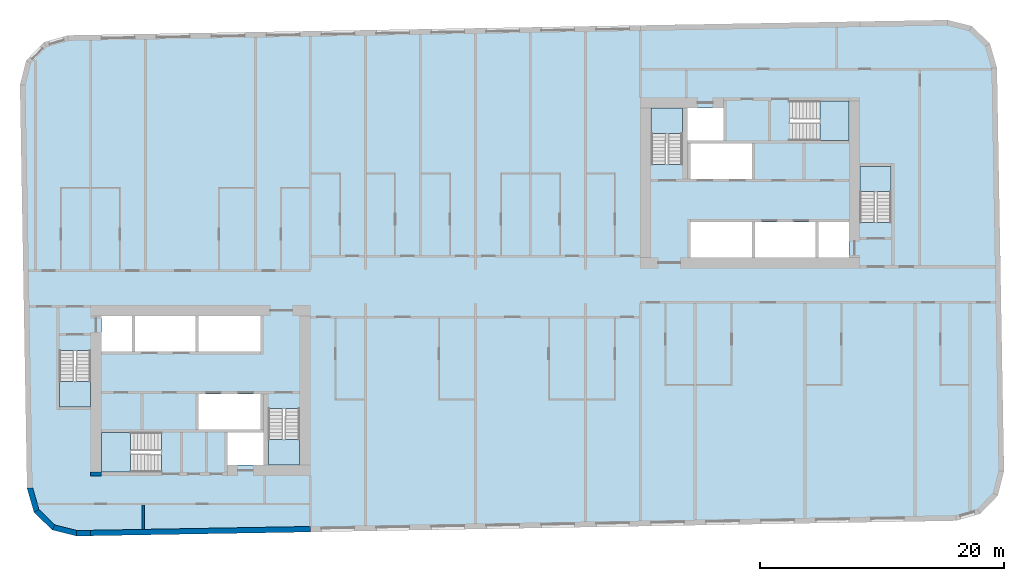
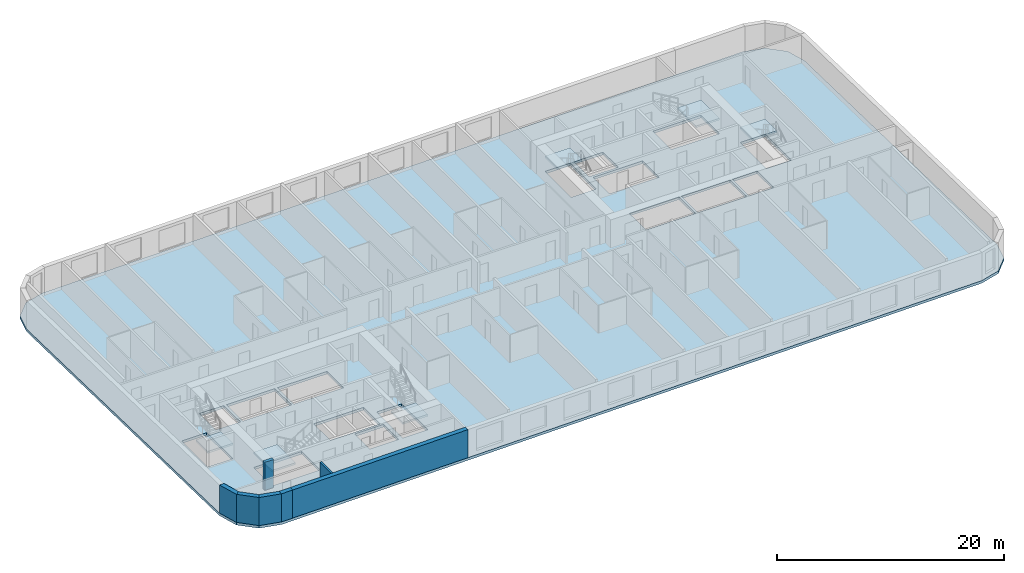
# One storey, part 1 of 11: 7 slabs, 7 walls, 6 elements without a shape of their own.
"""IFC4 building model written with IfcOpenShell, lengths in metres."""

from ifc_helpers import new_model, si_unit, direction, frame, frame_2d, origin, place, context, subcontext, project, spatial, polyline, rectangle, outline, extrude, material, layer, layer_set, type_object, element, aggregate, save


model = new_model("IFC4")

# Units and contexts
model_context = context("Model", 3, precision=1e-05, world=origin(), true_north=direction((0.0, 1.0)))
body_context = subcontext(model_context, "Body", "Model", "MODEL_VIEW")
ifc_project = project(units=[si_unit("LENGTHUNIT", "METRE"), si_unit("AREAUNIT", "SQUARE_METRE"), si_unit("VOLUMEUNIT", "CUBIC_METRE"), si_unit("PLANEANGLEUNIT", "RADIAN"), si_unit("MASSUNIT", "GRAM", prefix="KILO")], contexts=[model_context])

# Site, building, storey
site_placement = place(None, origin())
site = spatial("IfcSite", under=ifc_project, at=site_placement, CompositionType="ELEMENT")
building_placement = place(site_placement, origin())
building = spatial("IfcBuilding", under=site, at=building_placement, Name="Kajstack Hotel Tower", CompositionType="ELEMENT")
storey_placement = place(building_placement, frame((0.0, 0.0, 221.0)))
storey = spatial("IfcBuildingStorey", under=building, at=storey_placement, Name="L53", CompositionType="ELEMENT", Elevation=221.0)

# Slab
ifc_material_1 = material(Name="Concrete C40/50", Category="concrete")
ifc_layer_1 = layer(ifc_material_1, 0.280029296875)
ifc_layer_set_1 = layer_set([ifc_layer_1], Name="RC slab 280 C40/50 guest")
slab_type_1 = type_object("IfcSlabType", Name="RC slab 280 C40/50 guest", PredefinedType="FLOOR", material=ifc_layer_set_1)
slab_1_placement = place(storey_placement, frame((0.0, 0.0, -0.280029296875)))
element("IfcSlab", 1, at=slab_1_placement, inside=storey, type_object=slab_type_1, Name="S-slab-L53", PredefinedType="FLOOR", context=body_context, shape_type="SweptSolid", body=[
    extrude(outline(polyline([(-37.281982421875, 16.49951171875), (-36.705810546875, -16.49560546875), (-36.13525390625, -18.48583984375), (-34.645751953125, -19.92431640625), (-32.63671875, -20.42529296875), (39.352294921875, -19.168701171875), (41.342529296875, -18.597900390625), (42.781005859375, -17.1083984375), (43.281982421875, -15.099365234375), (42.705810546875, 17.8955078125), (42.13525390625, 19.885986328125), (40.645751953125, 21.32421875), (38.63671875, 21.8251953125), (-33.352294921875, 20.568603515625), (-35.342529296875, 19.997802734375), (-36.781005859375, 18.50830078125), (-37.281982421875, 16.49951171875)]), holes=[polyline([(-22.64990234375, -11.699951171875), (-22.64990234375, -8.800048828125), (-17.60009765625, -8.800048828125), (-17.60009765625, -11.699951171875), (-22.64990234375, -11.699951171875)]), polyline([(-27.85009765625, -5.300048828125), (-27.85009765625, -2.39990234375), (-22.89990234375, -2.39990234375), (-22.89990234375, -5.300048828125), (-27.85009765625, -5.300048828125)]), polyline([(-22.64990234375, -5.300048828125), (-22.64990234375, -2.39990234375), (-17.60009765625, -2.39990234375), (-17.60009765625, -5.300048828125), (-22.64990234375, -5.300048828125)]), polyline([(-20.300048828125, -14.60009765625), (-17.35009765625, -14.60009765625), (-17.35009765625, -11.949951171875), (-20.300048828125, -11.949951171875), (-20.300048828125, -14.60009765625)]), polyline([(-30.60009765625, -5.300048828125), (-28.10009765625, -5.300048828125), (-28.10009765625, -2.39990234375), (-30.60009765625, -2.39990234375), (-30.60009765625, -5.300048828125)]), polyline([(17.60009765625, 8.800048828125), (17.60009765625, 11.699951171875), (22.64990234375, 11.699951171875), (22.64990234375, 8.800048828125), (17.60009765625, 8.800048828125)]), polyline([(22.89990234375, 2.39990234375), (22.89990234375, 5.300048828125), (27.85009765625, 5.300048828125), (27.85009765625, 2.39990234375), (22.89990234375, 2.39990234375)]), polyline([(17.60009765625, 2.39990234375), (17.60009765625, 5.300048828125), (22.64990234375, 5.300048828125), (22.64990234375, 2.39990234375), (17.60009765625, 2.39990234375)]), polyline([(20.300048828125, 14.60009765625), (17.35009765625, 14.60009765625), (17.35009765625, 11.949951171875), (20.300048828125, 11.949951171875), (20.300048828125, 14.60009765625)]), polyline([(30.60009765625, 5.300048828125), (28.10009765625, 5.300048828125), (28.10009765625, 2.39990234375), (30.60009765625, 2.39990234375), (30.60009765625, 5.300048828125)]), polyline([(-34.050048828125, -9.85009765625), (-31.5, -9.85009765625), (-31.5, -5.25), (-34.050048828125, -5.25), (-34.050048828125, -9.85009765625)]), polyline([(-16.949951171875, -14.60009765625), (-14.39990234375, -14.60009765625), (-14.39990234375, -10.0), (-16.949951171875, -10.0), (-16.949951171875, -14.60009765625)]), polyline([(-30.60009765625, -15.199951171875), (-25.699951171875, -15.199951171875), (-25.699951171875, -11.949951171875), (-30.60009765625, -11.949951171875), (-30.60009765625, -15.199951171875)]), polyline([(34.050048828125, 9.85009765625), (31.5, 9.85009765625), (31.5, 5.25), (34.050048828125, 5.25), (34.050048828125, 9.85009765625)]), polyline([(16.949951171875, 14.60009765625), (14.39990234375, 14.60009765625), (14.39990234375, 10.0), (16.949951171875, 10.0), (16.949951171875, 14.60009765625)]), polyline([(30.60009765625, 15.199951171875), (25.699951171875, 15.199951171875), (25.699951171875, 11.949951171875), (30.60009765625, 11.949951171875), (30.60009765625, 15.199951171875)])]), origin(), (0.0, 0.0, 1.0), 0.280029296875),
])

# Stair, slab
stair_type_1 = type_object("IfcStairType", Name="Exit stair 1200", PredefinedType="HALF_TURN_STAIR", material=ifc_material_1)
stair_1_placement = place(storey_placement, origin())
stair_1 = element("IfcStair", 2, at=stair_1_placement, inside=storey, type_object=stair_type_1, Name="L53 stair W1", PredefinedType="HALF_TURN_STAIR")
ifc_layer_2 = layer(ifc_material_1, 0.199951171875)
ifc_layer_set_2 = layer_set([ifc_layer_2], Name="Stair landing 200")
slab_type_2 = type_object("IfcSlabType", Name="Stair landing 200", PredefinedType="LANDING", material=ifc_layer_set_2)
slab_2_placement = place(storey_placement, frame((0.0, 0.0, 1.449951171875)))
slab_2 = element("IfcSlab", 3, at=slab_2_placement, type_object=slab_type_2, Name="W1 landing 1", PredefinedType="LANDING", context=body_context, shape_type="SweptSolid", body=[
    extrude(outline(polyline([(-34.050048828125, -7.77001953125), (-34.050048828125, -9.85009765625), (-31.5, -9.85009765625), (-31.5, -7.77001953125), (-34.050048828125, -7.77001953125)])), origin(), (0.0, 0.0, 1.0), 0.199951171875),
])
aggregate(stair_1, [slab_2])

stair_2_placement = place(storey_placement, origin())
stair_2 = element("IfcStair", 4, at=stair_2_placement, inside=storey, type_object=stair_type_1, Name="L53 stair W2", PredefinedType="HALF_TURN_STAIR")
slab_3_placement = place(storey_placement, frame((0.0, 0.0, 1.449951171875)))
slab_3 = element("IfcSlab", 5, at=slab_3_placement, type_object=slab_type_2, Name="W2 landing 1", PredefinedType="LANDING", context=body_context, shape_type="SweptSolid", body=[
    extrude(outline(polyline([(-16.949951171875, -12.52001953125), (-16.949951171875, -14.60009765625), (-14.39990234375, -14.60009765625), (-14.39990234375, -12.52001953125), (-16.949951171875, -12.52001953125)])), origin(), (0.0, 0.0, 1.0), 0.199951171875),
])
aggregate(stair_2, [slab_3])

stair_type_2 = type_object("IfcStairType", Name="Exit stair 1500", PredefinedType="HALF_TURN_STAIR", material=ifc_material_1)
stair_3_placement = place(storey_placement, origin())
stair_3 = element("IfcStair", 6, at=stair_3_placement, inside=storey, type_object=stair_type_2, Name="L53 stair W3", PredefinedType="HALF_TURN_STAIR")
slab_4_placement = place(storey_placement, frame((0.0, 0.0, 1.449951171875)))
slab_4 = element("IfcSlab", 7, at=slab_4_placement, type_object=slab_type_2, Name="W3 landing 1", PredefinedType="LANDING", context=body_context, shape_type="SweptSolid", body=[
    extrude(outline(polyline([(-28.219970703125, -11.949951171875), (-30.60009765625, -11.949951171875), (-30.60009765625, -15.199951171875), (-28.219970703125, -15.199951171875), (-28.219970703125, -11.949951171875)])), origin(), (0.0, 0.0, 1.0), 0.199951171875),
])
aggregate(stair_3, [slab_4])

stair_4_placement = place(storey_placement, origin())
stair_4 = element("IfcStair", 8, at=stair_4_placement, inside=storey, type_object=stair_type_1, Name="L53 stair E1", PredefinedType="HALF_TURN_STAIR")
slab_5_placement = place(storey_placement, frame((0.0, 0.0, 1.449951171875)))
slab_5 = element("IfcSlab", 9, at=slab_5_placement, type_object=slab_type_2, Name="E1 landing 1", PredefinedType="LANDING", context=body_context, shape_type="SweptSolid", body=[
    extrude(outline(polyline([(34.050048828125, 7.77001953125), (34.050048828125, 9.85009765625), (31.5, 9.85009765625), (31.5, 7.77001953125), (34.050048828125, 7.77001953125)])), origin(), (0.0, 0.0, 1.0), 0.199951171875),
])
aggregate(stair_4, [slab_5])

stair_5_placement = place(storey_placement, origin())
stair_5 = element("IfcStair", 10, at=stair_5_placement, inside=storey, type_object=stair_type_1, Name="L53 stair E2", PredefinedType="HALF_TURN_STAIR")
slab_6_placement = place(storey_placement, frame((0.0, 0.0, 1.449951171875)))
slab_6 = element("IfcSlab", 11, at=slab_6_placement, type_object=slab_type_2, Name="E2 landing 1", PredefinedType="LANDING", context=body_context, shape_type="SweptSolid", body=[
    extrude(outline(polyline([(16.949951171875, 12.52001953125), (16.949951171875, 14.60009765625), (14.39990234375, 14.60009765625), (14.39990234375, 12.52001953125), (16.949951171875, 12.52001953125)])), origin(), (0.0, 0.0, 1.0), 0.199951171875),
])
aggregate(stair_5, [slab_6])

stair_6_placement = place(storey_placement, origin())
stair_6 = element("IfcStair", 12, at=stair_6_placement, inside=storey, type_object=stair_type_2, Name="L53 stair E3", PredefinedType="HALF_TURN_STAIR")
slab_7_placement = place(storey_placement, frame((0.0, 0.0, 1.449951171875)))
slab_7 = element("IfcSlab", 13, at=slab_7_placement, type_object=slab_type_2, Name="E3 landing 1", PredefinedType="LANDING", context=body_context, shape_type="SweptSolid", body=[
    extrude(outline(polyline([(28.219970703125, 11.949951171875), (30.60009765625, 11.949951171875), (30.60009765625, 15.199951171875), (28.219970703125, 15.199951171875), (28.219970703125, 11.949951171875)])), origin(), (0.0, 0.0, 1.0), 0.199951171875),
])
aggregate(stair_6, [slab_7])

# Walls
ifc_material_2 = material(Name="Concrete C60/75", Category="concrete")
ifc_layer_3 = layer(ifc_material_2, 0.89990234375)
ifc_layer_set_3 = layer_set([ifc_layer_3], Name="Core wall 900")
wall_type_1 = type_object("IfcWallType", Name="Core wall 900", PredefinedType="SHEAR", material=ifc_layer_set_3)
wall_1_placement = place(storey_placement, frame((-31.5, -15.35009765625, 0.0), z_axis=(0.0, 0.0, 1.0), x_axis=(1.0, 0.0, 0.0)))
element("IfcWall", 14, at=wall_1_placement, inside=storey, type_object=wall_type_1, Name="Core wall W RSW", PredefinedType="SHEAR", context=body_context, shape_type="SweptSolid", body=[
    extrude(rectangle(XDim=0.89990234375, YDim=0.300048828125, at=frame_2d((0.449951171875, 0.0))), origin(), (0.0, 0.0, 1.0), 3.02001953125),
])
ifc_layer_4 = layer(ifc_material_1, 0.449951171875)
ifc_layer_set_4 = layer_set([ifc_layer_4], Name="EW-CORE")
wall_type_2 = type_object("IfcWallType", Name="EW-CORE", PredefinedType="SOLIDWALL", material=ifc_layer_set_4)
wall_2_placement = place(storey_placement, frame((-31.50390625, -20.180419921875, 0.0), z_axis=(0.0, 0.0, 1.0), x_axis=(0.999847677887, 0.017453395744, 0.0)))
element("IfcWall", 15, at=wall_2_placement, inside=storey, type_object=wall_type_2, Name="E-wall-L53-04-01", PredefinedType="SOLIDWALL", context=body_context, shape_type="SweptSolid", body=[
    extrude(rectangle(XDim=18.002685546875, YDim=0.449951171875, at=frame_2d((9.00146484375, 0.0))), origin(), (0.0, 0.0, 1.0), 3.02001953125),
])
ifc_material_3 = material(Name="Terracotta-faced brick masonry", Category="masonry")
ifc_layer_5 = layer(ifc_material_3, 0.449951171875)
ifc_layer_set_5 = layer_set([ifc_layer_5], Name="EW-TERRA")
wall_type_3 = type_object("IfcWallType", Name="EW-TERRA", PredefinedType="SOLIDWALL", material=ifc_layer_set_5)
wall_3_placement = place(storey_placement, frame((-36.489501953125, -16.43359375, 0.0), z_axis=(0.0, 0.0, 1.0), x_axis=(0.275577603096, -0.961278827745, 0.0)))
element("IfcWall", 16, at=wall_3_placement, inside=storey, type_object=wall_type_3, Name="E-wall-L53-01-00", PredefinedType="SOLIDWALL", context=body_context, shape_type="SweptSolid", body=[
    extrude(outline(polyline([(0.0, -0.22509765625), (2.070556640625, -0.22509765625), (1.949951171875, 0.22509765625), (0.12060546875, 0.224853515625), (0.0, -0.22509765625)])), origin(), (0.0, 0.0, 1.0), 3.02001953125),
])
wall_4_placement = place(storey_placement, frame((-35.97900390625, -18.323974609375, 0.0), z_axis=(0.0, 0.0, 1.0), x_axis=(0.719320193998, -0.694678672846, 0.0)))
element("IfcWall", 17, at=wall_4_placement, inside=storey, type_object=wall_type_3, Name="E-wall-L53-02-00", PredefinedType="SOLIDWALL", context=body_context, shape_type="SweptSolid", body=[
    extrude(outline(polyline([(0.000244140625, -0.22509765625), (2.07080078125, -0.22509765625), (1.9501953125, 0.22509765625), (0.12060546875, 0.22509765625), (0.000244140625, -0.22509765625)])), origin(), (0.0, 0.0, 1.0), 3.02001953125),
])
wall_5_placement = place(storey_placement, frame((-34.59130859375, -19.7060546875, 0.0), z_axis=(0.0, 0.0, 1.0), x_axis=(0.970315655375, -0.241841950319, 0.0)))
element("IfcWall", 18, at=wall_5_placement, inside=storey, type_object=wall_type_3, Name="E-wall-L53-03-00", PredefinedType="SOLIDWALL", context=body_context, shape_type="SweptSolid", body=[
    extrude(outline(polyline([(0.0, -0.224853515625), (2.070556640625, -0.22509765625), (1.949951171875, 0.224853515625), (0.12060546875, 0.22509765625), (0.0, -0.224853515625)])), origin(), (0.0, 0.0, 1.0), 3.02001953125),
])
wall_6_placement = place(storey_placement, frame((-32.640625, -20.2001953125, 0.0), z_axis=(0.0, 0.0, 1.0), x_axis=(0.99984870815, 0.017394275206, 0.0)))
element("IfcWall", 19, at=wall_6_placement, inside=storey, type_object=wall_type_3, Name="E-wall-L53-04-00", PredefinedType="SOLIDWALL", context=body_context, shape_type="SweptSolid", body=[
    extrude(rectangle(XDim=1.136962890625, YDim=0.449951171875, at=frame_2d((0.568359375, 0.0))), origin(), (0.0, 0.0, 1.0), 3.02001953125),
])
ifc_material_4 = material(Name="Gypsum board on steel studs, mineral wool", Category="steel")
ifc_layer_6 = layer(ifc_material_4, 0.199951171875)
ifc_layer_set_6 = layer_set([ifc_layer_6], Name="Service partition 200")
wall_type_4 = type_object("IfcWallType", Name="Service partition 200", PredefinedType="PARTITIONING", material=ifc_layer_set_6)
wall_7_placement = place(storey_placement, frame((-27.199951171875, -19.88037109375, 0.0), z_axis=(0.0, 0.0, 1.0), x_axis=(0.0, 1.0, 0.0)))
element("IfcWall", 20, at=wall_7_placement, inside=storey, type_object=wall_type_4, Name="Partition W SLP0", PredefinedType="PARTITIONING", context=body_context, shape_type="SweptSolid", body=[
    extrude(rectangle(XDim=1.98046875, YDim=0.199951171875, at=frame_2d((0.990234375, 0.0))), origin(), (0.0, 0.0, 1.0), 3.02001953125),
])

save(model, "model.ifc")
